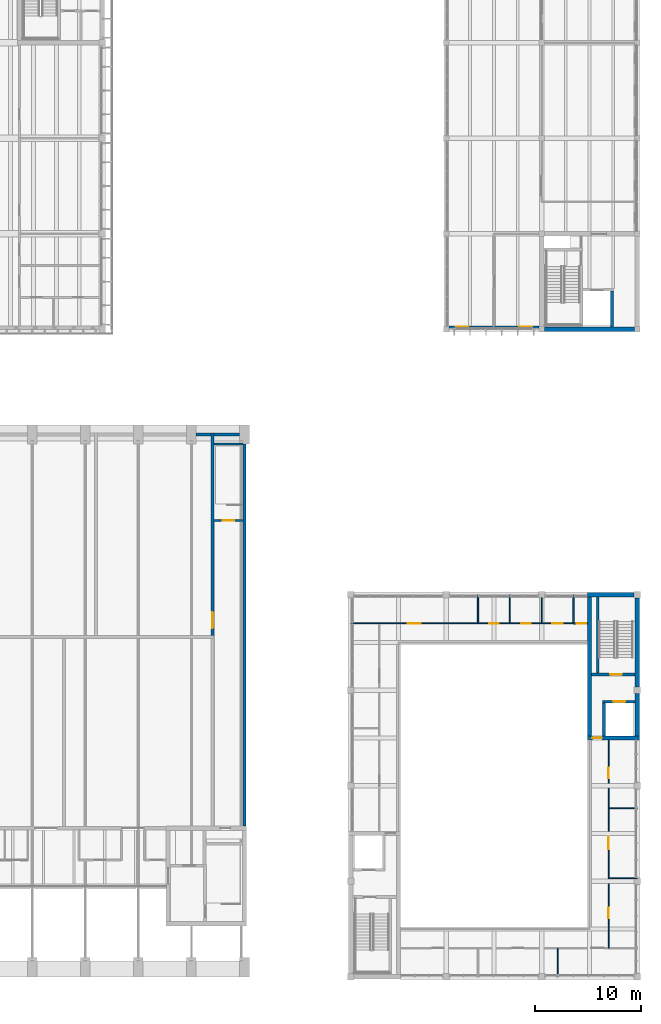
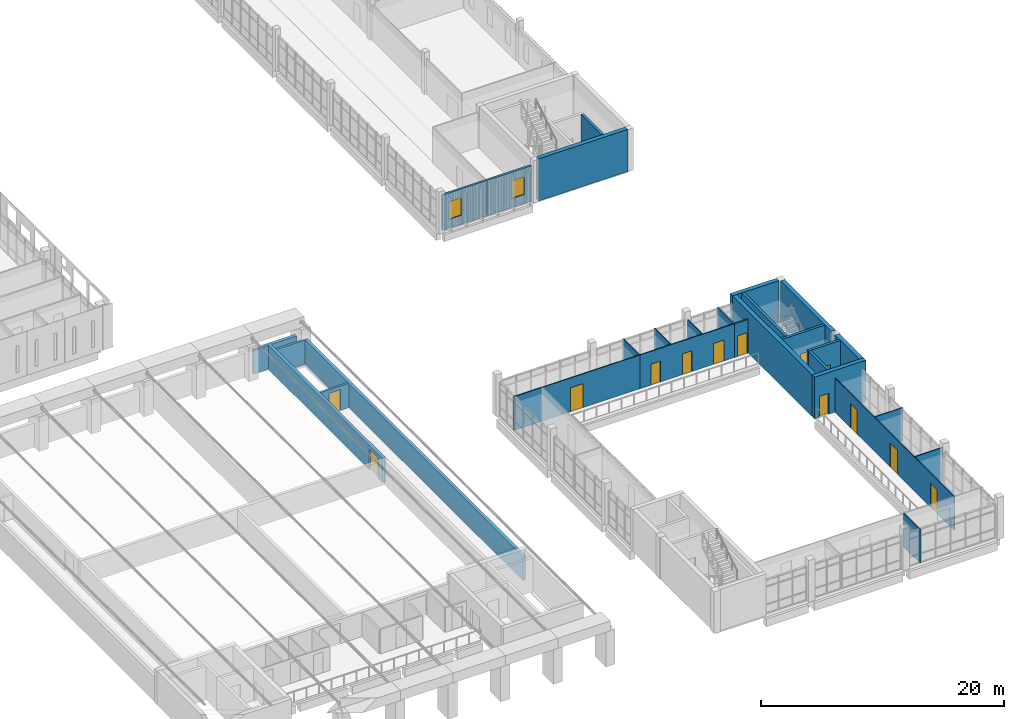
# One storey, part 51 of 92: 30 walls, 13 doors, 2 windows, 15 openings.
"""IFC4 building model written with IfcOpenShell, lengths in metres."""

from ifc_helpers import new_model, si_unit, direction, frame, frame_2d, origin, place, context, subcontext, project, spatial, rectangle, extrude, material, layer, layer_set, type_object, element, fill, save


model = new_model("IFC4")

# Units and contexts
model_context = context("Model", 3, precision=1e-05, world=origin(), true_north=direction((0.0, 1.0)))
body_context = subcontext(model_context, "Body", "Model", "MODEL_VIEW")
ifc_project = project(units=[si_unit("LENGTHUNIT", "METRE"), si_unit("AREAUNIT", "SQUARE_METRE"), si_unit("VOLUMEUNIT", "CUBIC_METRE"), si_unit("PLANEANGLEUNIT", "RADIAN"), si_unit("MASSUNIT", "GRAM", prefix="KILO")], contexts=[model_context])

# Site, building, storey
site_placement = place(None, origin())
site = spatial("IfcSite", under=ifc_project, at=site_placement, CompositionType="ELEMENT")
building_placement = place(site_placement, origin())
building = spatial("IfcBuilding", under=site, at=building_placement, Name="Merrow Basin Faculty of Sciences", CompositionType="ELEMENT")
storey_placement = place(building_placement, frame((0.0, 0.0, 4.5)))
storey = spatial("IfcBuildingStorey", under=building, at=storey_placement, Name="L01", CompositionType="ELEMENT", Elevation=4.5)

# Wall, opening, window
ifc_material_1 = material(Name="Precast concrete C40/50", Category="concrete")
ifc_layer_1 = layer(ifc_material_1, 0.215087890625)
ifc_layer_set_1 = layer_set([ifc_layer_1], Name="External infill wall 215 Precast concrete C40/50")
wall_type_1 = type_object("IfcWallType", Name="External infill wall 215 Precast concrete C40/50", PredefinedType="STANDARD", material=ifc_layer_set_1)
wall_1_placement = place(storey_placement, frame((58.449951171875, 61.193115234375, 0.0), z_axis=(0.0, 0.0, 1.0), x_axis=(-1.0, 0.0, 0.0)))
wall_1 = element("IfcWall", 1, at=wall_1_placement, inside=storey, type_object=wall_type_1, Name="S external wall 1", PredefinedType="STANDARD", context=body_context, shape_type="SweptSolid", body=[
    extrude(rectangle(XDim=4.199951171875, YDim=0.215087890625, at=frame_2d((2.10009765625, 0.0))), origin(), (0.0, 0.0, 1.0), 3.550048828125),
])
opening_1_placement = place(wall_1_placement, frame((2.35009765625, 0.0, 0.89990234375)))
opening_1 = element("IfcOpeningElement", 2, at=opening_1_placement, cuts=wall_1, Name="Opening WN11", PredefinedType="OPENING", context=body_context, shape_type="SweptSolid", body=[
    extrude(rectangle(XDim=1.199951171875, YDim=1.800048828125, at=frame_2d((0.60009765625, 0.89990234375))), frame((0.0, 0.117431640625, 0.0), z_axis=(0.0, -1.0, 0.0), x_axis=(1.0, 0.0, 0.0)), (0.0, 0.0, 1.0), 0.235107421875),
])
ifc_material_2 = material(Name="Low-E double glazing", Category="glass")
window_type = type_object("IfcWindowType", Name="Punched window 1200 x 1800", PartitioningType="SINGLE_PANEL", PredefinedType="WINDOW", material=ifc_material_2)
window_1_placement = place(opening_1_placement, origin())
window_1 = element("IfcWindow", 3, at=window_1_placement, inside=storey, type_object=window_type, Name="S window L01", OverallHeight=1.800048828125, OverallWidth=1.199951171875, PartitioningType="SINGLE_PANEL", PredefinedType="WINDOW", context=body_context, shape_type="SweptSolid", body=[
    extrude(rectangle(XDim=1.199951171875, YDim=1.800048828125, at=frame_2d((0.60009765625, 0.89990234375))), frame((0.0, 0.030029296875, 0.0), z_axis=(0.0, -1.0, 0.0), x_axis=(1.0, 0.0, 0.0)), (0.0, 0.0, 1.0), 0.06005859375),
])
fill(opening_1, window_1)

wall_2_placement = place(storey_placement, frame((62.75, 61.193115234375, 0.0), z_axis=(0.0, 0.0, 1.0), x_axis=(-1.0, 0.0, 0.0)))
wall_2 = element("IfcWall", 4, at=wall_2_placement, inside=storey, type_object=wall_type_1, Name="S external wall 2", PredefinedType="STANDARD", context=body_context, shape_type="SweptSolid", body=[
    extrude(rectangle(XDim=4.199951171875, YDim=0.215087890625, at=frame_2d((2.10009765625, 0.0))), origin(), (0.0, 0.0, 1.0), 3.550048828125),
])
opening_2_placement = place(wall_2_placement, frame((0.64990234375, 0.0, 0.89990234375)))
opening_2 = element("IfcOpeningElement", 5, at=opening_2_placement, cuts=wall_2, Name="Opening WN11", PredefinedType="OPENING", context=body_context, shape_type="SweptSolid", body=[
    extrude(rectangle(XDim=1.199951171875, YDim=1.800048828125, at=frame_2d((0.60009765625, 0.89990234375))), frame((0.0, 0.117431640625, 0.0), z_axis=(0.0, -1.0, 0.0), x_axis=(1.0, 0.0, 0.0)), (0.0, 0.0, 1.0), 0.235107421875),
])
window_2_placement = place(opening_2_placement, origin())
window_2 = element("IfcWindow", 6, at=window_2_placement, inside=storey, type_object=window_type, Name="S window L01", OverallHeight=1.800048828125, OverallWidth=1.199951171875, PartitioningType="SINGLE_PANEL", PredefinedType="WINDOW", context=body_context, shape_type="SweptSolid", body=[
    extrude(rectangle(XDim=1.199951171875, YDim=1.800048828125, at=frame_2d((0.60009765625, 0.89990234375))), frame((0.0, 0.030029296875, 0.0), z_axis=(0.0, -1.0, 0.0), x_axis=(1.0, 0.0, 0.0)), (0.0, 0.0, 1.0), 0.06005859375),
])
fill(opening_2, window_2)

# Wall, opening, door
ifc_material_3 = material(Name="Concrete C40/50", Category="concrete")
ifc_layer_2 = layer(ifc_material_3, 0.300048828125)
ifc_layer_set_2 = layer_set([ifc_layer_2], Name="Hall wall 300 Concrete C40/50")
wall_type_2 = type_object("IfcWallType", Name="Hall wall 300 Concrete C40/50", PredefinedType="SHEAR", material=ifc_layer_set_2)
wall_3_placement = place(storey_placement, frame((32.0, 32.14990234375, 0.0), z_axis=(0.0, 0.0, 1.0), x_axis=(0.0, 1.0, 0.0)))
wall_3 = element("IfcWall", 7, at=wall_3_placement, inside=storey, type_object=wall_type_2, Name="SW7 L01 021", PredefinedType="SHEAR", context=body_context, shape_type="SweptSolid", body=[
    extrude(rectangle(XDim=19.10009765625, YDim=0.300048828125, at=frame_2d((9.550048828125, 0.0))), origin(), (0.0, 0.0, 1.0), 2.449951171875),
])
opening_3_placement = place(wall_3_placement, frame((0.699951171875, 0.0, 0.0)))
opening_3 = element("IfcOpeningElement", 8, at=opening_3_placement, cuts=wall_3, Name="Opening D01H017", PredefinedType="OPENING", context=body_context, shape_type="SweptSolid", body=[
    extrude(rectangle(XDim=1.5, YDim=2.10009765625, at=frame_2d((0.75, 1.050048828125))), frame((0.0, 0.159912109375, 0.0), z_axis=(0.0, -1.0, 0.0), x_axis=(1.0, 0.0, 0.0)), (0.0, 0.0, 1.0), 0.320068359375),
])
ifc_material_4 = material(Name="Timber door leaf", Category="wood")
door_type_1 = type_object("IfcDoorType", Name="Double swing door 1500 x 2100", OperationType="NOTDEFINED", PredefinedType="DOOR", material=ifc_material_4)
door_1_placement = place(opening_3_placement, origin())
door_1 = element("IfcDoor", 9, at=door_1_placement, inside=storey, type_object=door_type_1, Name="Lecture Theatre 4 upper exit", OperationType="DOUBLE_DOOR_SINGLE_SWING", OverallHeight=2.10009765625, OverallWidth=1.5, PredefinedType="DOOR", context=body_context, shape_type="SweptSolid", body=[
    extrude(rectangle(XDim=1.5, YDim=2.10009765625, at=frame_2d((0.75, 1.050048828125))), frame((0.0, 0.02490234375, 0.0), z_axis=(0.0, -1.0, 0.0), x_axis=(1.0, 0.0, 0.0)), (0.0, 0.0, 1.0), 0.050048828125),
])
fill(opening_3, door_1)

# Walls
wall_4_placement = place(storey_placement, frame((35.0, 14.199951171875, 0.0), z_axis=(0.0, 0.0, 1.0), x_axis=(0.0, 1.0, 0.0)))
element("IfcWall", 10, at=wall_4_placement, inside=storey, type_object=wall_type_2, Name="SW7 L01 026", PredefinedType="SHEAR", context=body_context, shape_type="SweptSolid", body=[
    extrude(rectangle(XDim=36.0, YDim=0.300048828125, at=frame_2d((18.0, 0.0))), origin(), (0.0, 0.0, 1.0), 2.449951171875),
])
wall_5_placement = place(storey_placement, frame((32.14990234375, 51.10009765625, 0.0), z_axis=(0.0, 0.0, 1.0), x_axis=(1.0, 0.0, 0.0)))
element("IfcWall", 11, at=wall_5_placement, inside=storey, type_object=wall_type_2, Name="SW7 L01 033", PredefinedType="SHEAR", context=body_context, shape_type="SweptSolid", body=[
    extrude(rectangle(XDim=2.400146484375, YDim=0.300048828125, at=frame_2d((1.2001953125, 0.0))), origin(), (0.0, 0.0, 1.0), 2.449951171875),
])
wall_6_placement = place(storey_placement, frame((30.449951171875, 51.10009765625, 0.0), z_axis=(0.0, 0.0, 1.0), x_axis=(1.0, 0.0, 0.0)))
element("IfcWall", 12, at=wall_6_placement, inside=storey, type_object=wall_type_2, Name="SW7 L01 034", PredefinedType="SHEAR", context=body_context, shape_type="SweptSolid", body=[
    extrude(rectangle(XDim=1.400146484375, YDim=0.300048828125, at=frame_2d((0.7001953125, 0.0))), origin(), (0.0, 0.0, 1.0), 2.449951171875),
])
ifc_material_5 = material(Name="Gypsum board")
ifc_layer_3 = layer(ifc_material_5, 0.10009765625)
ifc_layer_set_3 = layer_set([ifc_layer_3], Name="Partition 100 gypsum board on steel studs")
wall_type_3 = type_object("IfcWallType", Name="Partition 100 gypsum board on steel studs", PredefinedType="PARTITIONING", material=ifc_layer_set_3)
wall_7_placement = place(storey_placement, frame((64.5, 0.0, 0.0), z_axis=(0.0, 0.0, 1.0), x_axis=(0.0, 1.0, 0.0)))
element("IfcWall", 13, at=wall_7_placement, inside=storey, type_object=wall_type_3, Name="IW100 L01 009", PredefinedType="PARTITIONING", context=body_context, shape_type="SweptSolid", body=[
    extrude(rectangle(XDim=2.699951171875, YDim=0.10009765625, at=frame_2d((1.35009765625, 0.0))), origin(), (0.0, 0.0, 1.0), 3.39990234375),
])

# Wall, openings, doors
wall_8_placement = place(storey_placement, frame((69.300048828125, 2.699951171875, 0.0), z_axis=(0.0, 0.0, 1.0), x_axis=(0.0, 1.0, 0.0)))
wall_8 = element("IfcWall", 14, at=wall_8_placement, inside=storey, type_object=wall_type_3, Name="IW100 L01 010", PredefinedType="PARTITIONING", context=body_context, shape_type="SweptSolid", body=[
    extrude(rectangle(XDim=19.60009765625, YDim=0.10009765625, at=frame_2d((9.800048828125, 0.0))), origin(), (0.0, 0.0, 1.0), 3.39990234375),
])
opening_4_placement = place(wall_8_placement, frame((2.800048828125, 0.0, 0.0)))
opening_4 = element("IfcOpeningElement", 15, at=opening_4_placement, cuts=wall_8, Name="Opening D01A008", PredefinedType="OPENING", context=body_context, shape_type="SweptSolid", body=[
    extrude(rectangle(XDim=1.0, YDim=2.39990234375, at=frame_2d((0.5, 1.199951171875))), frame((0.0, 0.06005859375, 0.0), z_axis=(0.0, -1.0, 0.0), x_axis=(1.0, 0.0, 0.0)), (0.0, 0.0, 1.0), 0.1201171875),
])
opening_5_placement = place(wall_8_placement, frame((9.300048828125, 0.0, 0.0)))
opening_5 = element("IfcOpeningElement", 16, at=opening_5_placement, cuts=wall_8, Name="Opening D01A009", PredefinedType="OPENING", context=body_context, shape_type="SweptSolid", body=[
    extrude(rectangle(XDim=1.199951171875, YDim=2.39990234375, at=frame_2d((0.60009765625, 1.199951171875))), frame((0.0, 0.06005859375, 0.0), z_axis=(0.0, -1.0, 0.0), x_axis=(1.0, 0.0, 0.0)), (0.0, 0.0, 1.0), 0.1201171875),
])
opening_6_placement = place(wall_8_placement, frame((16.0, 0.0, 0.0)))
opening_6 = element("IfcOpeningElement", 17, at=opening_6_placement, cuts=wall_8, Name="Opening D01A010", PredefinedType="OPENING", context=body_context, shape_type="SweptSolid", body=[
    extrude(rectangle(XDim=1.0, YDim=2.39990234375, at=frame_2d((0.5, 1.199951171875))), frame((0.0, 0.06005859375, 0.0), z_axis=(0.0, -1.0, 0.0), x_axis=(1.0, 0.0, 0.0)), (0.0, 0.0, 1.0), 0.1201171875),
])
ifc_material_6 = material(Name="Glazed aluminium door", Category="aluminium")
door_type_2 = type_object("IfcDoorType", Name="Glazed single door 1000 x 2400", OperationType="NOTDEFINED", PredefinedType="DOOR", material=ifc_material_6)
door_2_placement = place(opening_4_placement, origin())
door_2 = element("IfcDoor", 18, at=door_2_placement, inside=storey, type_object=door_type_2, Name="Door D01A008", OperationType="SINGLE_SWING_LEFT", OverallHeight=2.39990234375, OverallWidth=1.0, PredefinedType="DOOR", context=body_context, shape_type="SweptSolid", body=[
    extrude(rectangle(XDim=1.0, YDim=2.39990234375, at=frame_2d((0.5, 1.199951171875))), frame((0.0, 0.02490234375, 0.0), z_axis=(0.0, -1.0, 0.0), x_axis=(1.0, 0.0, 0.0)), (0.0, 0.0, 1.0), 0.050048828125),
])
fill(opening_4, door_2)
door_3_placement = place(opening_6_placement, origin())
door_3 = element("IfcDoor", 19, at=door_3_placement, inside=storey, type_object=door_type_2, Name="Door D01A010", OperationType="SINGLE_SWING_LEFT", OverallHeight=2.39990234375, OverallWidth=1.0, PredefinedType="DOOR", context=body_context, shape_type="SweptSolid", body=[
    extrude(rectangle(XDim=1.0, YDim=2.39990234375, at=frame_2d((0.5, 1.199951171875))), frame((0.0, 0.02490234375, 0.0), z_axis=(0.0, -1.0, 0.0), x_axis=(1.0, 0.0, 0.0)), (0.0, 0.0, 1.0), 0.050048828125),
])
fill(opening_6, door_3)
ifc_material_7 = material(Name="Glazed aluminium door", Category="aluminium")
door_type_3 = type_object("IfcDoorType", Name="Glazed single door 1200 x 2400", OperationType="NOTDEFINED", PredefinedType="DOOR", material=ifc_material_7)
door_4_placement = place(opening_5_placement, origin())
door_4 = element("IfcDoor", 20, at=door_4_placement, inside=storey, type_object=door_type_3, Name="Door D01A009", OperationType="SINGLE_SWING_RIGHT", OverallHeight=2.39990234375, OverallWidth=1.199951171875, PredefinedType="DOOR", context=body_context, shape_type="SweptSolid", body=[
    extrude(rectangle(XDim=1.199951171875, YDim=2.39990234375, at=frame_2d((0.60009765625, 1.199951171875))), frame((0.0, 0.02490234375, 0.0), z_axis=(0.0, -1.0, 0.0), x_axis=(1.0, 0.0, 0.0)), (0.0, 0.0, 1.0), 0.050048828125),
])
fill(opening_5, door_4)

# Walls
for number, where, z_axis, x_axis, name in (
    (21, (69.35009765625, 9.300048828125, 0.0), (0.0, 0.0, 1.0), (1.0, 0.0, 0.0), "IW100 L01 012"),
    (22, (69.35009765625, 15.89990234375, 0.0), (0.0, 0.0, 1.0), (1.0, 0.0, 0.0), "IW100 L01 013"),
):
    element("IfcWall", number, at=place(storey_placement, frame(where, z_axis=z_axis, x_axis=x_axis)), inside=storey, type_object=wall_type_3, Name=name, PredefinedType="PARTITIONING", context=body_context, shape_type="SweptSolid", body=[
        extrude(rectangle(XDim=2.64990234375, YDim=0.10009765625, at=frame_2d((1.324951171875, 0.0))), origin(), (0.0, 0.0, 1.0), 3.39990234375),
    ])

# Wall, opening, door
wall_9_placement = place(storey_placement, frame((45.0, 33.300048828125, 0.0), z_axis=(0.0, 0.0, 1.0), x_axis=(1.0, 0.0, 0.0)))
wall_9 = element("IfcWall", 23, at=wall_9_placement, inside=storey, type_object=wall_type_3, Name="IW100 L01 015", PredefinedType="PARTITIONING", context=body_context, shape_type="SweptSolid", body=[
    extrude(rectangle(XDim=12.0, YDim=0.10009765625, at=frame_2d((6.0, 0.0))), origin(), (0.0, 0.0, 1.0), 3.39990234375),
])
opening_7_placement = place(wall_9_placement, frame((5.39990234375, 0.0, 0.0)))
opening_7 = element("IfcOpeningElement", 24, at=opening_7_placement, cuts=wall_9, Name="Opening D01A011", PredefinedType="OPENING", context=body_context, shape_type="SweptSolid", body=[
    extrude(rectangle(XDim=1.199951171875, YDim=2.39990234375, at=frame_2d((0.60009765625, 1.199951171875))), frame((0.0, 0.06005859375, 0.0), z_axis=(0.0, -1.0, 0.0), x_axis=(1.0, 0.0, 0.0)), (0.0, 0.0, 1.0), 0.1201171875),
])
door_5_placement = place(opening_7_placement, origin())
door_5 = element("IfcDoor", 25, at=door_5_placement, inside=storey, type_object=door_type_3, Name="Door D01A011", OperationType="SINGLE_SWING_LEFT", OverallHeight=2.39990234375, OverallWidth=1.199951171875, PredefinedType="DOOR", context=body_context, shape_type="SweptSolid", body=[
    extrude(rectangle(XDim=1.199951171875, YDim=2.39990234375, at=frame_2d((0.60009765625, 1.199951171875))), frame((0.0, 0.02490234375, 0.0), z_axis=(0.0, -1.0, 0.0), x_axis=(1.0, 0.0, 0.0)), (0.0, 0.0, 1.0), 0.050048828125),
])
fill(opening_7, door_5)

# Walls
ifc_material_8 = material(Name="Moisture-resistant gypsum board")
ifc_layer_4 = layer(ifc_material_8, 0.10009765625)
ifc_layer_set_4 = layer_set([ifc_layer_4], Name="Partition 100 moisture-resistant board on steel studs")
wall_type_4 = type_object("IfcWallType", Name="Partition 100 moisture-resistant board on steel studs", PredefinedType="PARTITIONING", material=ifc_layer_set_4)
for number, where, z_axis, x_axis, name in (
    (26, (57.0, 33.300048828125, 0.0), (0.0, 0.0, 1.0), (0.0, 1.0, 0.0), "IW101 L01 003"),
    (27, (60.0, 33.300048828125, 0.0), (0.0, 0.0, 1.0), (0.0, 1.0, 0.0), "IW101 L01 004"),
):
    element("IfcWall", number, at=place(storey_placement, frame(where, z_axis=z_axis, x_axis=x_axis)), inside=storey, type_object=wall_type_4, Name=name, PredefinedType="PARTITIONING", context=body_context, shape_type="SweptSolid", body=[
        extrude(rectangle(XDim=2.699951171875, YDim=0.10009765625, at=frame_2d((1.35009765625, 0.0))), origin(), (0.0, 0.0, 1.0), 3.39990234375),
    ])
wall_10_placement = place(storey_placement, frame((63.0, 33.300048828125, 0.0), z_axis=(0.0, 0.0, 1.0), x_axis=(0.0, 1.0, 0.0)))
element("IfcWall", 28, at=wall_10_placement, inside=storey, type_object=wall_type_4, Name="IW101 L01 005", PredefinedType="PARTITIONING", context=body_context, shape_type="SweptSolid", body=[
    extrude(rectangle(XDim=2.39990234375, YDim=0.10009765625, at=frame_2d((1.199951171875, 0.0))), origin(), (0.0, 0.0, 1.0), 3.39990234375),
])

# Wall, openings, doors
wall_11_placement = place(storey_placement, frame((57.0, 33.300048828125, 0.0), z_axis=(0.0, 0.0, 1.0), x_axis=(1.0, 0.0, 0.0)))
wall_11 = element("IfcWall", 29, at=wall_11_placement, inside=storey, type_object=wall_type_4, Name="IW101 L01 006", PredefinedType="PARTITIONING", context=body_context, shape_type="SweptSolid", body=[
    extrude(rectangle(XDim=9.0, YDim=0.10009765625, at=frame_2d((4.5, 0.0))), origin(), (0.0, 0.0, 1.0), 3.39990234375),
])
opening_8_placement = place(wall_11_placement, frame((1.050048828125, 0.0, 0.0)))
opening_8 = element("IfcOpeningElement", 30, at=opening_8_placement, cuts=wall_11, Name="Opening D01A012", PredefinedType="OPENING", context=body_context, shape_type="SweptSolid", body=[
    extrude(rectangle(XDim=0.89990234375, YDim=2.10009765625, at=frame_2d((0.449951171875, 1.050048828125))), frame((0.0, 0.06005859375, 0.0), z_axis=(0.0, -1.0, 0.0), x_axis=(1.0, 0.0, 0.0)), (0.0, 0.0, 1.0), 0.1201171875),
])
opening_9_placement = place(wall_11_placement, frame((4.050048828125, 0.0, 0.0)))
opening_9 = element("IfcOpeningElement", 31, at=opening_9_placement, cuts=wall_11, Name="Opening D01A013", PredefinedType="OPENING", context=body_context, shape_type="SweptSolid", body=[
    extrude(rectangle(XDim=0.89990234375, YDim=2.10009765625, at=frame_2d((0.449951171875, 1.050048828125))), frame((0.0, 0.06005859375, 0.0), z_axis=(0.0, -1.0, 0.0), x_axis=(1.0, 0.0, 0.0)), (0.0, 0.0, 1.0), 0.1201171875),
])
opening_10_placement = place(wall_11_placement, frame((7.0, 0.0, 0.0)))
opening_10 = element("IfcOpeningElement", 32, at=opening_10_placement, cuts=wall_11, Name="Opening D01A014", PredefinedType="OPENING", context=body_context, shape_type="SweptSolid", body=[
    extrude(rectangle(XDim=1.0, YDim=2.10009765625, at=frame_2d((0.5, 1.050048828125))), frame((0.0, 0.06005859375, 0.0), z_axis=(0.0, -1.0, 0.0), x_axis=(1.0, 0.0, 0.0)), (0.0, 0.0, 1.0), 0.1201171875),
])
ifc_material_9 = material(Name="Timber door leaf", Category="wood")
door_type_4 = type_object("IfcDoorType", Name="Accessible door 1000 x 2100", OperationType="NOTDEFINED", PredefinedType="DOOR", material=ifc_material_9)
door_6_placement = place(opening_10_placement, origin())
door_6 = element("IfcDoor", 33, at=door_6_placement, inside=storey, type_object=door_type_4, Name="Door D01A014", OperationType="SINGLE_SWING_LEFT", OverallHeight=2.10009765625, OverallWidth=1.0, PredefinedType="DOOR", context=body_context, shape_type="SweptSolid", body=[
    extrude(rectangle(XDim=1.0, YDim=2.10009765625, at=frame_2d((0.5, 1.050048828125))), frame((0.0, 0.02490234375, 0.0), z_axis=(0.0, -1.0, 0.0), x_axis=(1.0, 0.0, 0.0)), (0.0, 0.0, 1.0), 0.050048828125),
])
fill(opening_10, door_6)
ifc_material_10 = material(Name="Timber door leaf", Category="wood")
door_type_5 = type_object("IfcDoorType", Name="Single swing door 900 x 2100", OperationType="NOTDEFINED", PredefinedType="DOOR", material=ifc_material_10)
door_7_placement = place(opening_8_placement, origin())
door_7 = element("IfcDoor", 34, at=door_7_placement, inside=storey, type_object=door_type_5, Name="Door D01A012", OperationType="SINGLE_SWING_LEFT", OverallHeight=2.10009765625, OverallWidth=0.89990234375, PredefinedType="DOOR", context=body_context, shape_type="SweptSolid", body=[
    extrude(rectangle(XDim=0.89990234375, YDim=2.10009765625, at=frame_2d((0.449951171875, 1.050048828125))), frame((0.0, 0.02490234375, 0.0), z_axis=(0.0, -1.0, 0.0), x_axis=(1.0, 0.0, 0.0)), (0.0, 0.0, 1.0), 0.050048828125),
])
fill(opening_8, door_7)
door_8_placement = place(opening_9_placement, origin())
door_8 = element("IfcDoor", 35, at=door_8_placement, inside=storey, type_object=door_type_5, Name="Door D01A013", OperationType="SINGLE_SWING_LEFT", OverallHeight=2.10009765625, OverallWidth=0.89990234375, PredefinedType="DOOR", context=body_context, shape_type="SweptSolid", body=[
    extrude(rectangle(XDim=0.89990234375, YDim=2.10009765625, at=frame_2d((0.449951171875, 1.050048828125))), frame((0.0, 0.02490234375, 0.0), z_axis=(0.0, -1.0, 0.0), x_axis=(1.0, 0.0, 0.0)), (0.0, 0.0, 1.0), 0.050048828125),
])
fill(opening_9, door_8)

# Wall, opening, door
ifc_material_11 = material(Name="Fire-rated gypsum board")
ifc_layer_5 = layer(ifc_material_11, 0.199951171875)
ifc_layer_set_5 = layer_set([ifc_layer_5], Name="Riser lining 200 fire-rated board on steel studs")
wall_type_5 = type_object("IfcWallType", Name="Riser lining 200 fire-rated board on steel studs", PredefinedType="PARTITIONING", material=ifc_layer_set_5)
wall_12_placement = place(storey_placement, frame((32.14990234375, 43.0, 0.0), z_axis=(0.0, 0.0, 1.0), x_axis=(1.0, 0.0, 0.0)))
wall_12 = element("IfcWall", 36, at=wall_12_placement, inside=storey, type_object=wall_type_5, Name="IW200 L01 002", PredefinedType="PARTITIONING", context=body_context, shape_type="SweptSolid", body=[
    extrude(rectangle(XDim=2.7001953125, YDim=0.199951171875, at=frame_2d((1.35009765625, 0.0))), origin(), (0.0, 0.0, 1.0), 2.449951171875),
])
opening_11_placement = place(wall_12_placement, frame((0.800048828125, 0.0, 0.0)))
opening_11 = element("IfcOpeningElement", 37, at=opening_11_placement, cuts=wall_12, Name="Opening D01H008", PredefinedType="OPENING", context=body_context, shape_type="SweptSolid", body=[
    extrude(rectangle(XDim=1.10009765625, YDim=2.10009765625, at=frame_2d((0.550048828125, 1.050048828125))), frame((0.0, 0.10986328125, 0.0), z_axis=(0.0, -1.0, 0.0), x_axis=(1.0, 0.0, 0.0)), (0.0, 0.0, 1.0), 0.219970703125),
])
ifc_material_12 = material(Name="Fire-rated steel door", Category="steel")
door_type_6 = type_object("IfcDoorType", Name="Fire door FD90 1100 x 2100", OperationType="NOTDEFINED", PredefinedType="DOOR", material=ifc_material_12)
door_9_placement = place(opening_11_placement, origin())
door_9 = element("IfcDoor", 38, at=door_9_placement, inside=storey, type_object=door_type_6, Name="Corridor stair E door", OperationType="SINGLE_SWING_LEFT", OverallHeight=2.10009765625, OverallWidth=1.10009765625, PredefinedType="DOOR", context=body_context, shape_type="SweptSolid", body=[
    extrude(rectangle(XDim=1.10009765625, YDim=2.10009765625, at=frame_2d((0.550048828125, 1.050048828125))), frame((0.0, 0.02490234375, 0.0), z_axis=(0.0, -1.0, 0.0), x_axis=(1.0, 0.0, 0.0)), (0.0, 0.0, 1.0), 0.050048828125),
])
fill(opening_11, door_9)

# Walls
wall_13_placement = place(storey_placement, frame((32.14990234375, 50.199951171875, 0.0), z_axis=(0.0, 0.0, 1.0), x_axis=(1.0, 0.0, 0.0)))
element("IfcWall", 39, at=wall_13_placement, inside=storey, type_object=wall_type_5, Name="IW200 L01 013", PredefinedType="PARTITIONING", context=body_context, shape_type="SweptSolid", body=[
    extrude(rectangle(XDim=2.7001953125, YDim=0.199951171875, at=frame_2d((1.35009765625, 0.0))), origin(), (0.0, 0.0, 1.0), 2.449951171875),
])
ifc_material_13 = material(Name="Concrete C40/50", Category="concrete")
ifc_layer_6 = layer(ifc_material_13, 0.25)
ifc_layer_set_6 = layer_set([ifc_layer_6], Name="Shear wall 250 Concrete C40/50")
wall_type_6 = type_object("IfcWallType", Name="Shear wall 250 Concrete C40/50", PredefinedType="SHEAR", material=ifc_layer_set_6)
wall_14_placement = place(storey_placement, frame((69.625, 61.199951171875, 0.0), z_axis=(0.0, 0.0, 1.0), x_axis=(0.0, 1.0, 0.0)))
element("IfcWall", 40, at=wall_14_placement, inside=storey, type_object=wall_type_6, Name="SW2 L01 016", PredefinedType="SHEAR", context=body_context, shape_type="SweptSolid", body=[
    extrude(rectangle(XDim=3.400146484375, YDim=0.25, at=frame_2d((1.7001953125, 0.0))), origin(), (0.0, 0.0, 1.0), 4.25),
])

# Wall, opening, door
wall_15_placement = place(storey_placement, frame((67.699951171875, 28.47509765625, 0.0), z_axis=(0.0, 0.0, 1.0), x_axis=(1.0, 0.0, 0.0)))
wall_15 = element("IfcWall", 41, at=wall_15_placement, inside=storey, type_object=wall_type_6, Name="SW2 L01 015", PredefinedType="SHEAR", context=body_context, shape_type="SweptSolid", body=[
    extrude(rectangle(XDim=4.10009765625, YDim=0.25, at=frame_2d((2.050048828125, 0.0))), origin(), (0.0, 0.0, 1.0), 4.199951171875),
])
opening_12_placement = place(wall_15_placement, frame((1.75, 0.0, 0.0)))
opening_12 = element("IfcOpeningElement", 42, at=opening_12_placement, cuts=wall_15, Name="Opening D01A003", PredefinedType="OPENING", context=body_context, shape_type="SweptSolid", body=[
    extrude(rectangle(XDim=1.10009765625, YDim=2.10009765625, at=frame_2d((0.550048828125, 1.050048828125))), frame((0.0, 0.135009765625, 0.0), z_axis=(0.0, -1.0, 0.0), x_axis=(1.0, 0.0, 0.0)), (0.0, 0.0, 1.0), 0.27001953125),
])
door_10_placement = place(opening_12_placement, origin())
door_10 = element("IfcDoor", 43, at=door_10_placement, inside=storey, type_object=door_type_6, Name="Door D01A003", OperationType="SINGLE_SWING_RIGHT", OverallHeight=2.10009765625, OverallWidth=1.10009765625, PredefinedType="DOOR", context=body_context, shape_type="SweptSolid", body=[
    extrude(rectangle(XDim=1.10009765625, YDim=2.10009765625, at=frame_2d((0.550048828125, 1.050048828125))), frame((0.0, 0.02490234375, 0.0), z_axis=(0.0, -1.0, 0.0), x_axis=(1.0, 0.0, 0.0)), (0.0, 0.0, 1.0), 0.050048828125),
])
fill(opening_12, door_10)

# Wall
wall_16_placement = place(storey_placement, frame((68.27490234375, 28.60009765625, 0.0), z_axis=(0.0, 0.0, 1.0), x_axis=(0.0, 1.0, 0.0)))
element("IfcWall", 44, at=wall_16_placement, inside=storey, type_object=wall_type_6, Name="SW2 L01 016", PredefinedType="SHEAR", context=body_context, shape_type="SweptSolid", body=[
    extrude(rectangle(XDim=7.199951171875, YDim=0.25, at=frame_2d((3.60009765625, 0.0))), origin(), (0.0, 0.0, 1.0), 4.199951171875),
])

# Wall, opening, door
wall_17_placement = place(storey_placement, frame((68.75, 25.925048828125, 0.0), z_axis=(0.0, 0.0, 1.0), x_axis=(1.0, 0.0, 0.0)))
wall_17 = element("IfcWall", 45, at=wall_17_placement, inside=storey, type_object=wall_type_6, Name="SW2 L01 017", PredefinedType="SHEAR", context=body_context, shape_type="SweptSolid", body=[
    extrude(rectangle(XDim=3.050048828125, YDim=0.25, at=frame_2d((1.52490234375, 0.0))), origin(), (0.0, 0.0, 1.0), 4.199951171875),
])
opening_13_placement = place(wall_17_placement, frame((1.0, 0.0, 0.0)))
opening_13 = element("IfcOpeningElement", 46, at=opening_13_placement, cuts=wall_17, Name="Opening LD01A02", PredefinedType="OPENING", context=body_context, shape_type="SweptSolid", body=[
    extrude(rectangle(XDim=1.10009765625, YDim=2.10009765625, at=frame_2d((0.550048828125, 1.050048828125))), frame((0.0, 0.135009765625, 0.0), z_axis=(0.0, -1.0, 0.0), x_axis=(1.0, 0.0, 0.0)), (0.0, 0.0, 1.0), 0.27001953125),
])
ifc_material_14 = material(Name="Stainless steel sliding door", Category="steel")
door_type_7 = type_object("IfcDoorType", Name="Lift landing door 1100 x 2100 sliding", OperationType="NOTDEFINED", PredefinedType="DOOR", material=ifc_material_14)
door_11_placement = place(opening_13_placement, origin())
door_11 = element("IfcDoor", 47, at=door_11_placement, inside=storey, type_object=door_type_7, Name="Landing door LF10 L01", OperationType="SLIDING_TO_LEFT", OverallHeight=2.10009765625, OverallWidth=1.10009765625, PredefinedType="DOOR", context=body_context, shape_type="SweptSolid", body=[
    extrude(rectangle(XDim=1.10009765625, YDim=2.10009765625, at=frame_2d((0.550048828125, 1.050048828125))), frame((0.0, 0.02490234375, 0.0), z_axis=(0.0, -1.0, 0.0), x_axis=(1.0, 0.0, 0.0)), (0.0, 0.0, 1.0), 0.050048828125),
])
fill(opening_13, door_11)

# Walls
wall_18_placement = place(storey_placement, frame((68.875, 22.699951171875, 0.0), z_axis=(0.0, 0.0, 1.0), x_axis=(0.0, 1.0, 0.0)))
element("IfcWall", 48, at=wall_18_placement, inside=storey, type_object=wall_type_6, Name="SW2 L01 018", PredefinedType="SHEAR", context=body_context, shape_type="SweptSolid", body=[
    extrude(rectangle(XDim=3.10009765625, YDim=0.25, at=frame_2d((1.550048828125, 0.0))), origin(), (0.0, 0.0, 1.0), 4.199951171875),
])
ifc_material_15 = material(Name="Concrete C40/50", Category="concrete")
ifc_layer_7 = layer(ifc_material_15, 0.39990234375)
ifc_layer_set_7 = layer_set([ifc_layer_7], Name="Shear wall 400 Concrete C40/50")
wall_type_7 = type_object("IfcWallType", Name="Shear wall 400 Concrete C40/50", PredefinedType="SHEAR", material=ifc_layer_set_7)
wall_19_placement = place(storey_placement, frame((63.25, 61.0, 0.0), z_axis=(0.0, 0.0, 1.0), x_axis=(1.0, 0.0, 0.0)))
element("IfcWall", 49, at=wall_19_placement, inside=storey, type_object=wall_type_7, Name="SW1 L01 009", PredefinedType="SHEAR", context=body_context, shape_type="SweptSolid", body=[
    extrude(rectangle(XDim=8.5, YDim=0.39990234375, at=frame_2d((4.25, 0.0))), origin(), (0.0, 0.0, 1.0), 4.25),
])

# Wall, opening, door
wall_20_placement = place(storey_placement, frame((67.300048828125, 22.5, 0.0), z_axis=(0.0, 0.0, 1.0), x_axis=(1.0, 0.0, 0.0)))
wall_20 = element("IfcWall", 50, at=wall_20_placement, inside=storey, type_object=wall_type_7, Name="SW1 L01 010", PredefinedType="SHEAR", context=body_context, shape_type="SweptSolid", body=[
    extrude(rectangle(XDim=4.89990234375, YDim=0.39990234375, at=frame_2d((2.449951171875, 0.0))), origin(), (0.0, 0.0, 1.0), 4.199951171875),
])
opening_14_placement = place(wall_20_placement, frame((0.47509765625, 0.0, 0.0)))
opening_14 = element("IfcOpeningElement", 51, at=opening_14_placement, cuts=wall_20, Name="Opening D01A004", PredefinedType="OPENING", context=body_context, shape_type="SweptSolid", body=[
    extrude(rectangle(XDim=0.89990234375, YDim=2.10009765625, at=frame_2d((0.449951171875, 1.050048828125))), frame((0.0, 0.2099609375, 0.0), z_axis=(0.0, -1.0, 0.0), x_axis=(1.0, 0.0, 0.0)), (0.0, 0.0, 1.0), 0.419921875),
])
ifc_material_16 = material(Name="Fire-rated steel door", Category="steel")
door_type_8 = type_object("IfcDoorType", Name="Fire door FD60 900 x 2100", OperationType="NOTDEFINED", PredefinedType="DOOR", material=ifc_material_16)
door_12_placement = place(opening_14_placement, origin())
door_12 = element("IfcDoor", 52, at=door_12_placement, inside=storey, type_object=door_type_8, Name="Door D01A004", OperationType="SINGLE_SWING_LEFT", OverallHeight=2.10009765625, OverallWidth=0.89990234375, PredefinedType="DOOR", context=body_context, shape_type="SweptSolid", body=[
    extrude(rectangle(XDim=0.89990234375, YDim=2.10009765625, at=frame_2d((0.449951171875, 1.050048828125))), frame((0.0, 0.02490234375, 0.0), z_axis=(0.0, -1.0, 0.0), x_axis=(1.0, 0.0, 0.0)), (0.0, 0.0, 1.0), 0.050048828125),
])
fill(opening_14, door_12)

# Walls
wall_21_placement = place(storey_placement, frame((67.300048828125, 36.0, 0.0), z_axis=(0.0, 0.0, 1.0), x_axis=(1.0, 0.0, 0.0)))
element("IfcWall", 53, at=wall_21_placement, inside=storey, type_object=wall_type_7, Name="SW1 L01 011", PredefinedType="SHEAR", context=body_context, shape_type="SweptSolid", body=[
    extrude(rectangle(XDim=4.39990234375, YDim=0.39990234375, at=frame_2d((2.199951171875, 0.0))), origin(), (0.0, 0.0, 1.0), 4.199951171875),
])
wall_22_placement = place(storey_placement, frame((67.5, 22.699951171875, 0.0), z_axis=(0.0, 0.0, 1.0), x_axis=(0.0, 1.0, 0.0)))
element("IfcWall", 54, at=wall_22_placement, inside=storey, type_object=wall_type_7, Name="SW1 L01 012", PredefinedType="SHEAR", context=body_context, shape_type="SweptSolid", body=[
    extrude(rectangle(XDim=13.10009765625, YDim=0.39990234375, at=frame_2d((6.550048828125, 0.0))), origin(), (0.0, 0.0, 1.0), 4.199951171875),
])
wall_23_placement = place(storey_placement, frame((72.0, 27.300048828125, 0.0), z_axis=(0.0, 0.0, 1.0), x_axis=(0.0, 1.0, 0.0)))
element("IfcWall", 55, at=wall_23_placement, inside=storey, type_object=wall_type_7, Name="SW1 L01 013", PredefinedType="SHEAR", context=body_context, shape_type="SweptSolid", body=[
    extrude(rectangle(XDim=8.39990234375, YDim=0.39990234375, at=frame_2d((4.199951171875, 0.0))), origin(), (0.0, 0.0, 1.0), 4.199951171875),
])
wall_24_placement = place(storey_placement, frame((72.0, 22.699951171875, 0.0), z_axis=(0.0, 0.0, 1.0), x_axis=(0.0, 1.0, 0.0)))
element("IfcWall", 56, at=wall_24_placement, inside=storey, type_object=wall_type_7, Name="SW1 L01 014", PredefinedType="SHEAR", context=body_context, shape_type="SweptSolid", body=[
    extrude(rectangle(XDim=4.0, YDim=0.39990234375, at=frame_2d((2.0, 0.0))), origin(), (0.0, 0.0, 1.0), 4.199951171875),
])
ifc_material_17 = material(Name="Fire-rated gypsum board")
ifc_layer_8 = layer(ifc_material_17, 0.14990234375)
ifc_layer_set_8 = layer_set([ifc_layer_8], Name="Store partition 150 fire-rated board on steel studs")
wall_type_8 = type_object("IfcWallType", Name="Store partition 150 fire-rated board on steel studs", PredefinedType="PARTITIONING", material=ifc_layer_set_8)
wall_25_placement = place(storey_placement, frame((66.0, 33.300048828125, 0.0), z_axis=(0.0, 0.0, 1.0), x_axis=(0.0, 1.0, 0.0)))
element("IfcWall", 57, at=wall_25_placement, inside=storey, type_object=wall_type_8, Name="IW152 L01 001", PredefinedType="PARTITIONING", context=body_context, shape_type="SweptSolid", body=[
    extrude(rectangle(XDim=2.699951171875, YDim=0.14990234375, at=frame_2d((1.35009765625, 0.0))), origin(), (0.0, 0.0, 1.0), 3.39990234375),
])

# Wall, opening, door
wall_26_placement = place(storey_placement, frame((66.0, 33.300048828125, 0.0), z_axis=(0.0, 0.0, 1.0), x_axis=(1.0, 0.0, 0.0)))
wall_26 = element("IfcWall", 58, at=wall_26_placement, inside=storey, type_object=wall_type_8, Name="IW152 L01 002", PredefinedType="PARTITIONING", context=body_context, shape_type="SweptSolid", body=[
    extrude(rectangle(XDim=1.300048828125, YDim=0.14990234375, at=frame_2d((0.64990234375, 0.0))), origin(), (0.0, 0.0, 1.0), 3.39990234375),
])
opening_15_placement = place(wall_26_placement, frame((0.300048828125, 0.0, 0.0)))
opening_15 = element("IfcOpeningElement", 59, at=opening_15_placement, cuts=wall_26, Name="Opening D01A015", PredefinedType="OPENING", context=body_context, shape_type="SweptSolid", body=[
    extrude(rectangle(XDim=0.89990234375, YDim=2.10009765625, at=frame_2d((0.449951171875, 1.050048828125))), frame((0.0, 0.0849609375, 0.0), z_axis=(0.0, -1.0, 0.0), x_axis=(1.0, 0.0, 0.0)), (0.0, 0.0, 1.0), 0.169921875),
])
door_13_placement = place(opening_15_placement, origin())
door_13 = element("IfcDoor", 60, at=door_13_placement, inside=storey, type_object=door_type_8, Name="Door D01A015", OperationType="SINGLE_SWING_LEFT", OverallHeight=2.10009765625, OverallWidth=0.89990234375, PredefinedType="DOOR", context=body_context, shape_type="SweptSolid", body=[
    extrude(rectangle(XDim=0.89990234375, YDim=2.10009765625, at=frame_2d((0.449951171875, 1.050048828125))), frame((0.0, 0.02490234375, 0.0), z_axis=(0.0, -1.0, 0.0), x_axis=(1.0, 0.0, 0.0)), (0.0, 0.0, 1.0), 0.050048828125),
])
fill(opening_15, door_13)

save(model, "model.ifc")
